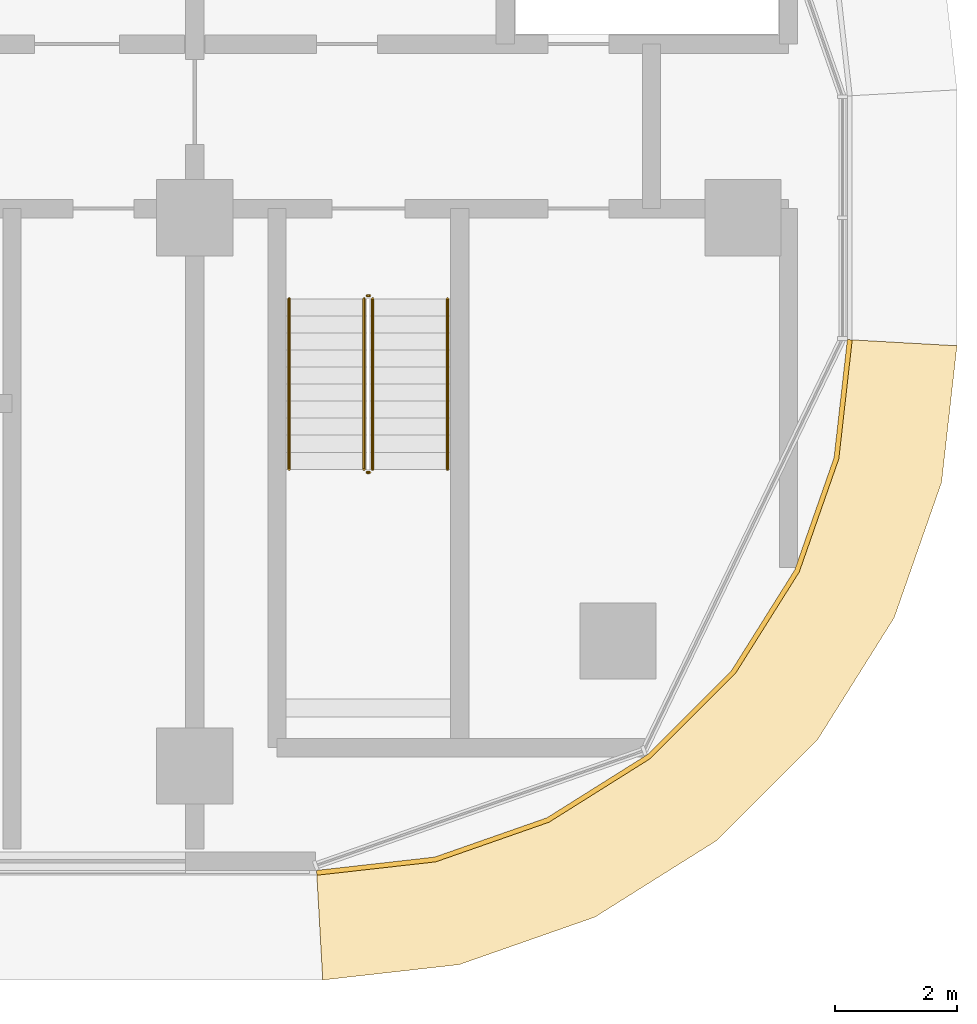
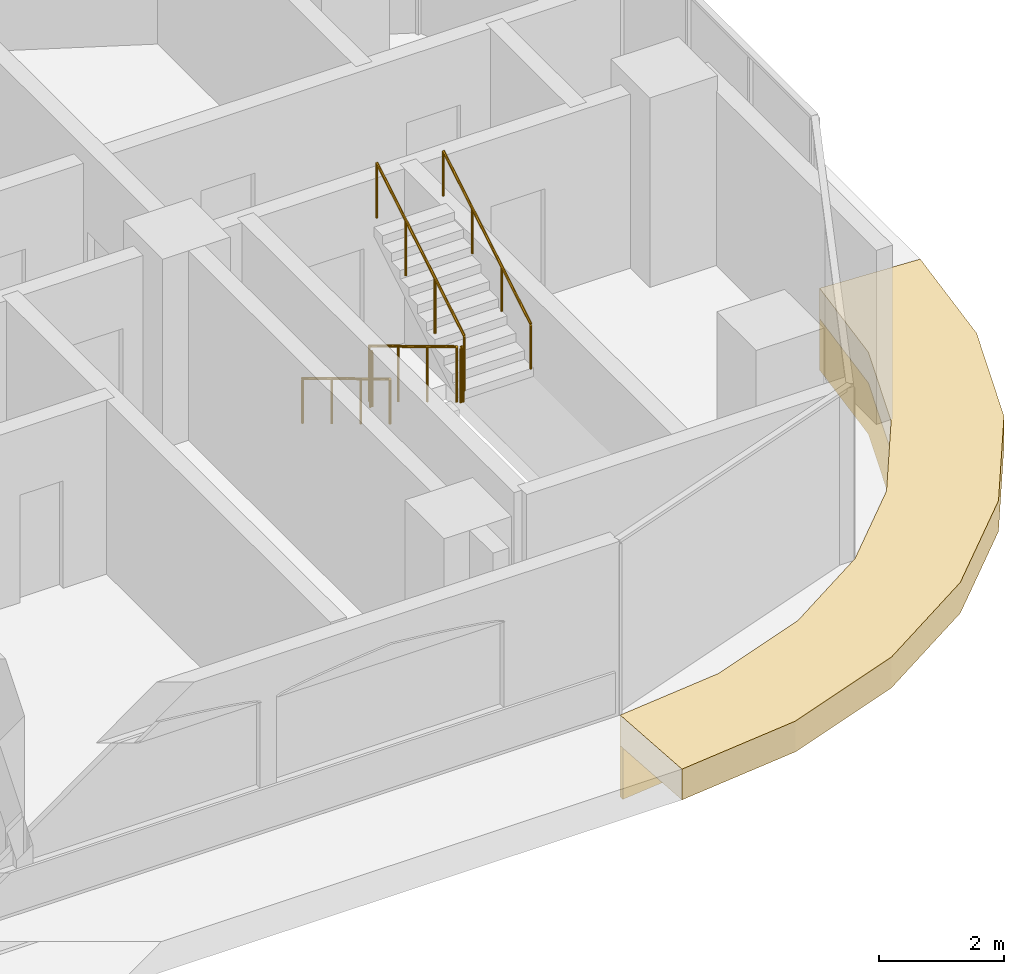
# One storey, part 22 of 25: 6 railings, 2 coverings.
"""IFC4 building model written with IfcOpenShell, lengths in metres."""

import ifcopenshell
import ifcopenshell.guid

model = None  # the IFC model being written
_history = None  # IfcOwnerHistory: only IFC2X3 demands one
_inside = {}  # id of a spatial element -> (the spatial element, [elements in it])
_under = {}  # id of a project, library or spatial element -> (it, [spatial elements below it])
_declared = {}  # id of a project -> (the project, [libraries it declares])
_typed = {}  # id of a type object -> (the type object, [elements of that type])
_made_of = {}  # id of a material, layer set ... -> (it, [elements and type objects made of it])


def new_model(schema):
    """Start an empty IFC model of exactly this schema.

    Asked for "IFC4X3", IfcOpenShell would pick the latest addendum, in which some entities
    have other attributes; the version numbers below select the first issue.
    IFC2X3 requires an IfcOwnerHistory on every rooted entity: one is made here for all.
    """
    global model, _history
    if schema == "IFC4X3":
        model = ifcopenshell.file(schema_version=(4, 3, 0, 0))
    else:
        model = ifcopenshell.file(schema=schema)
    _inside.clear()
    _under.clear()
    _declared.clear()
    _typed.clear()
    _made_of.clear()
    _history = None
    if model.schema == "IFC2X3":
        org = make("IfcOrganization", Name="unknown")
        user = make(
            "IfcPersonAndOrganization",
            ThePerson=make("IfcPerson", FamilyName="unknown"),
            TheOrganization=org,
        )
        app = make(
            "IfcApplication",
            ApplicationDeveloper=org,
            Version="unknown",
            ApplicationFullName="unknown",
            ApplicationIdentifier="unknown",
        )
        _history = make(
            "IfcOwnerHistory",
            OwningUser=user,
            OwningApplication=app,
            ChangeAction="ADDED",
            CreationDate=0,
        )
    return model


def make(cls, **values):
    """One entity of the class cls with the attributes given. An attribute that is None is left unset."""
    return model.create_entity(
        cls, **{name: value for name, value in values.items() if value is not None}
    )


def rooted(cls, **values):
    """An entity with a GlobalId (a new one), such as an element, a storey or a relation."""
    return make(cls, GlobalId=ifcopenshell.guid.new(), OwnerHistory=_history, **values)


def si_unit(unit_type, name, prefix=None):
    """IfcSIUnit, for example si_unit("LENGTHUNIT", "METRE", prefix="MILLI")."""
    return make("IfcSIUnit", UnitType=unit_type, Prefix=prefix, Name=name)


def assignment(units):
    """IfcUnitAssignment: the units of a project."""
    return None if units is None else make("IfcUnitAssignment", Units=units)


def point(xyz):
    """IfcCartesianPoint."""
    return None if xyz is None else make("IfcCartesianPoint", Coordinates=xyz)


def direction(xyz):
    """IfcDirection."""
    return None if xyz is None else make("IfcDirection", DirectionRatios=xyz)


def frame(location, z_axis=None, x_axis=None):
    """IfcAxis2Placement3D, a coordinate frame: its origin and axes. An axis left out is left unset."""
    return make(
        "IfcAxis2Placement3D",
        Location=point(location),
        Axis=direction(z_axis),
        RefDirection=direction(x_axis),
    )


def frame_2d(location, x_axis=None):
    """IfcAxis2Placement2D, a coordinate frame in the plane: its origin and x axis."""
    return make(
        "IfcAxis2Placement2D", Location=point(location), RefDirection=direction(x_axis)
    )


def origin():
    """The frame at (0, 0, 0) with its axes left unset."""
    return frame((0.0, 0.0, 0.0))


def origin_2d():
    """The frame at (0, 0) in the plane with its x axis left unset."""
    return frame_2d((0.0, 0.0))


def place(relative_to, where):
    """IfcLocalPlacement: puts the frame where relative to a parent placement (None: the world)."""
    return make(
        "IfcLocalPlacement", PlacementRelTo=relative_to, RelativePlacement=where
    )


def context(
    kind, dimensions, precision=None, world=None, true_north=None, identifier=None
):
    """IfcGeometricRepresentationContext, for example the 3D "Model" context."""
    return make(
        "IfcGeometricRepresentationContext",
        ContextIdentifier=identifier,
        ContextType=kind,
        CoordinateSpaceDimension=dimensions,
        Precision=precision,
        WorldCoordinateSystem=world,
        TrueNorth=true_north,
    )


def subcontext(parent, identifier, kind, view, scale=None):
    """IfcGeometricRepresentationSubContext, for example "Body" below "Model"."""
    return make(
        "IfcGeometricRepresentationSubContext",
        ContextIdentifier=identifier,
        ContextType=kind,
        ParentContext=parent,
        TargetScale=scale,
        TargetView=view,
    )


def project(units=None, contexts=None):
    """IfcProject with its units and contexts."""
    return rooted(
        "IfcProject",
        Name="project",
        RepresentationContexts=contexts,
        UnitsInContext=assignment(units),
    )


def spatial(cls, under=None, at=None, **own):
    """A site, building, storey or space (cls), placed at a placement, below another one or the project."""
    s = rooted(cls, ObjectPlacement=at, **own)
    if under is not None:
        _under.setdefault(under.id(), (under, []))[1].append(s)
    return s


def polyline(points):
    """IfcPolyline through the points."""
    return make("IfcPolyline", Points=[point(p) for p in points])


def profile(cls, at=None, kind="AREA", **sizes):
    """A parametric profile (cls). Its sizes go by their IFC names, for example OverallWidth=200.0."""
    return make(cls, ProfileType=kind, Position=at, **sizes)


def circle(**sizes):
    """IfcCircleProfileDef."""
    return profile("IfcCircleProfileDef", **sizes)


def outline(outer, holes=None, kind="AREA"):
    """IfcArbitraryClosedProfileDef: a profile drawn as a closed curve; with holes, ...WithVoids."""
    if holes is None:
        return make("IfcArbitraryClosedProfileDef", ProfileType=kind, OuterCurve=outer)
    return make(
        "IfcArbitraryProfileDefWithVoids",
        ProfileType=kind,
        OuterCurve=outer,
        InnerCurves=holes,
    )


def extrude(swept, where, along, depth):
    """IfcExtrudedAreaSolid: the profile swept, set in the frame where, extruded along a direction by depth."""
    return make(
        "IfcExtrudedAreaSolid",
        SweptArea=swept,
        Position=where,
        ExtrudedDirection=direction(along),
        Depth=depth,
    )


def shape(context_of_items, identifier, shape_type, items):
    """IfcShapeRepresentation: the items that make up one representation, for example the "Body"."""
    return make(
        "IfcShapeRepresentation",
        ContextOfItems=context_of_items,
        RepresentationIdentifier=identifier,
        RepresentationType=shape_type,
        Items=items,
    )


def material(Name=None, Category=None):
    """IfcMaterial."""
    return make("IfcMaterial", Name=Name, Category=Category)


def layer(
    of_material, thickness, ventilated=None, Name=None, Category=None, Priority=None
):
    """IfcMaterialLayer: one layer of a wall or slab, of a material (None: an air gap)."""
    return make(
        "IfcMaterialLayer",
        Material=of_material,
        LayerThickness=thickness,
        IsVentilated=ventilated,
        Name=Name,
        Category=Category,
        Priority=Priority,
    )


def layer_set(layers, Name=None):
    """IfcMaterialLayerSet."""
    return make("IfcMaterialLayerSet", MaterialLayers=layers, LayerSetName=Name)


def made_of(thing, what):
    """Note that an element or type object is made of a material, layer set ...; save() writes the relation."""
    if what is not None:
        _made_of.setdefault(what.id(), (what, []))[1].append(thing)
    return thing


def type_object(cls, material=None, **own):
    """A type object (cls), such as IfcWallType, which elements share."""
    return made_of(rooted(cls, **own), material)


def element(
    cls,
    number,
    at=None,
    inside=None,
    cuts=None,
    type_object=None,
    material=None,
    context=None,
    identifier="Body",
    shape_type=None,
    held_by="IfcProductDefinitionShape",
    body=None,
    shapes=None,
    **own,
):
    """One element of the class cls, such as IfcWall. Its Tag is "e" and its number.

    at: its placement. inside: the storey or other place that contains it. cuts: it is an
    opening in that element (IfcRelVoidsElement). A single representation is given by context,
    identifier, shape_type and body (its items); several are given by shapes. held_by: the class
    of the entity that holds the representations. save() writes the other relations.
    """
    e = rooted(cls, Tag="e%d" % number, ObjectPlacement=at, **own)
    if body is not None:
        shapes = [shape(context, identifier, shape_type, body)]
    if shapes is not None:
        e.Representation = make(held_by, Representations=shapes)
    if inside is not None:
        _inside.setdefault(inside.id(), (inside, []))[1].append(e)
    if cuts is not None:
        rooted(
            "IfcRelVoidsElement", RelatingBuildingElement=cuts, RelatedOpeningElement=e
        )
    if type_object is not None:
        _typed.setdefault(type_object.id(), (type_object, []))[1].append(e)
    return made_of(e, material)


def aggregate(whole, parts):
    """IfcRelAggregates: a whole, such as a stair, and the parts it consists of."""
    return rooted("IfcRelAggregates", RelatingObject=whole, RelatedObjects=parts)


def save(model, path):
    """Write the relations noted so far, then the file.

    IfcRelAggregates (storeys below a building ...), IfcRelContainedInSpatialStructure (elements
    in a storey), IfcRelDefinesByType, IfcRelAssociatesMaterial and IfcRelDeclares: one each for
    every whole, place, type object, material and project.
    """
    for whole, parts in _under.values():
        aggregate(whole, parts)
    for where, things in _inside.values():
        rooted(
            "IfcRelContainedInSpatialStructure",
            RelatedElements=things,
            RelatingStructure=where,
        )
    for kind, things in _typed.values():
        rooted("IfcRelDefinesByType", RelatedObjects=things, RelatingType=kind)
    for what, things in _made_of.values():
        rooted("IfcRelAssociatesMaterial", RelatedObjects=things, RelatingMaterial=what)
    for by, libraries in _declared.values():
        rooted("IfcRelDeclares", RelatingContext=by, RelatedDefinitions=libraries)
    model.write(path)


model = new_model("IFC4")

# Units and contexts
model_context = context("Model", 3, precision=1e-05, world=origin(), true_north=direction((0.0, 1.0)))
body_context = subcontext(model_context, "Body", "Model", "MODEL_VIEW")
ifc_project = project(units=[si_unit("LENGTHUNIT", "METRE"), si_unit("AREAUNIT", "SQUARE_METRE"), si_unit("VOLUMEUNIT", "CUBIC_METRE"), si_unit("PLANEANGLEUNIT", "RADIAN"), si_unit("MASSUNIT", "GRAM", prefix="KILO")], contexts=[model_context])

# Site, building, storey
site_placement = place(None, origin())
site = spatial("IfcSite", under=ifc_project, at=site_placement, CompositionType="ELEMENT")
building_placement = place(site_placement, origin())
building = spatial("IfcBuilding", under=site, at=building_placement, Name="Ogive Portal Towers", CompositionType="ELEMENT")
storey_placement = place(building_placement, frame((0.0, 0.0, 124.10009765625)))
storey = spatial("IfcBuildingStorey", under=building, at=storey_placement, Name="L30", CompositionType="ELEMENT", Elevation=124.10009765625)

# Railings
ifc_material_1 = material(Name="Stainless steel balustrade", Category="steel")
railing_type_1 = type_object("IfcRailingType", Name="INT-GUARD", PredefinedType="GUARDRAIL", material=ifc_material_1)
railing_1_placement = place(storey_placement, frame((88.280029296875, 29.169921875, 0.16796875)))
element("IfcRailing", 1, at=railing_1_placement, inside=storey, type_object=railing_type_1, Name="L30 ST-A4 stair guard 1", PredefinedType="GUARDRAIL", context=body_context, shape_type="SweptSolid", body=[
    extrude(circle(Radius=0.02392578125, at=origin_2d()), frame((0.0, 0.0, 1.076171875), z_axis=(0.0, -0.857222391501, 0.514946377315), x_axis=(1.0, 0.0, 0.0)), (0.0, 0.0, 1.0), 3.26611328125),
    extrude(circle(Radius=0.02099609375, at=origin_2d()), origin(), (0.0, 0.0, 1.0), 1.052001953125),
    extrude(circle(Radius=0.02099609375, at=origin_2d()), frame((0.0, -0.933349609375, 0.560546875)), (0.0, 0.0, 1.0), 1.052001953125),
    extrude(circle(Radius=0.02099609375, at=origin_2d()), frame((0.0, -1.866455078125, 1.121337890625)), (0.0, 0.0, 1.0), 1.052001953125),
    extrude(circle(Radius=0.02099609375, at=origin_2d()), frame((0.0, -2.7998046875, 1.681884765625)), (0.0, 0.0, 1.0), 1.052001953125),
])
railing_2_placement = place(storey_placement, frame((88.330078125, 26.320068359375, 1.849853515625)))
element("IfcRailing", 2, at=railing_2_placement, inside=storey, type_object=railing_type_1, Name="L30 ST-A4 stair guard 2", PredefinedType="GUARDRAIL", context=body_context, shape_type="SweptSolid", body=[
    extrude(circle(Radius=0.02392578125, at=origin_2d()), frame((0.0, 0.0, 1.076171875), z_axis=(1.0, 0.0, 0.0), x_axis=(0.0, 1.0, 0.0)), (0.0, 0.0, 1.0), 0.0400390625),
    extrude(circle(Radius=0.02099609375, at=origin_2d()), origin(), (0.0, 0.0, 1.0), 1.052001953125),
    extrude(circle(Radius=0.02099609375, at=origin_2d()), frame((0.0400390625, 0.0, 0.0)), (0.0, 0.0, 1.0), 1.052001953125),
])
railing_3_placement = place(storey_placement, frame((88.419921875, 26.3701171875, 2.01806640625)))
element("IfcRailing", 3, at=railing_3_placement, inside=storey, type_object=railing_type_1, Name="L30 ST-A4 stair guard 3", PredefinedType="GUARDRAIL", context=body_context, shape_type="SweptSolid", body=[
    extrude(circle(Radius=0.02392578125, at=origin_2d()), frame((0.0, 0.0, 1.076171875), z_axis=(0.0, 0.857222391501, 0.514946377315), x_axis=(-1.0, 0.0, 0.0)), (0.0, 0.0, 1.0), 3.26611328125),
    extrude(circle(Radius=0.02099609375, at=origin_2d()), origin(), (0.0, 0.0, 1.0), 1.052001953125),
    extrude(circle(Radius=0.02099609375, at=origin_2d()), frame((0.0, 0.933349609375, 0.560546875)), (0.0, 0.0, 1.0), 1.052001953125),
    extrude(circle(Radius=0.02099609375, at=origin_2d()), frame((0.0, 1.866455078125, 1.121337890625)), (0.0, 0.0, 1.0), 1.052001953125),
    extrude(circle(Radius=0.02099609375, at=origin_2d()), frame((0.0, 2.7998046875, 1.681884765625)), (0.0, 0.0, 1.0), 1.052001953125),
])
railing_4_placement = place(storey_placement, frame((88.330078125, 29.219970703125, 0.0)))
element("IfcRailing", 4, at=railing_4_placement, inside=storey, type_object=railing_type_1, Name="L30 ST-A4 stair guard 4", PredefinedType="GUARDRAIL", context=body_context, shape_type="SweptSolid", body=[
    extrude(circle(Radius=0.02392578125, at=origin_2d()), frame((0.0, 0.0, 1.076171875), z_axis=(1.0, 0.0, 0.0), x_axis=(0.0, 1.0, 0.0)), (0.0, 0.0, 1.0), 0.0400390625),
    extrude(circle(Radius=0.02099609375, at=origin_2d()), origin(), (0.0, 0.0, 1.0), 1.052001953125),
    extrude(circle(Radius=0.02099609375, at=origin_2d()), frame((0.0400390625, 0.0, 0.0)), (0.0, 0.0, 1.0), 1.052001953125),
])
ifc_material_2 = material(Name="Stainless steel handrail", Category="steel")
railing_type_2 = type_object("IfcRailingType", Name="INT-HANDRAIL", PredefinedType="HANDRAIL", material=ifc_material_2)
railing_5_placement = place(storey_placement, frame((87.050048828125, 29.169921875, 0.16796875)))
element("IfcRailing", 5, at=railing_5_placement, inside=storey, type_object=railing_type_2, Name="L30 ST-A4 stair handrail 1", PredefinedType="HANDRAIL", context=body_context, shape_type="SweptSolid", body=[
    extrude(circle(Radius=0.02392578125, at=origin_2d()), frame((0.0, 0.0, 0.8759765625), z_axis=(0.0, -0.857222391501, 0.514946377315), x_axis=(1.0, 0.0, 0.0)), (0.0, 0.0, 1.0), 3.26611328125),
    extrude(circle(Radius=0.02099609375, at=origin_2d()), origin(), (0.0, 0.0, 1.0), 0.851806640625),
    extrude(circle(Radius=0.02099609375, at=origin_2d()), frame((0.0, -0.933349609375, 0.560546875)), (0.0, 0.0, 1.0), 0.851806640625),
    extrude(circle(Radius=0.02099609375, at=origin_2d()), frame((0.0, -1.866455078125, 1.121337890625)), (0.0, 0.0, 1.0), 0.851806640625),
    extrude(circle(Radius=0.02099609375, at=origin_2d()), frame((0.0, -2.7998046875, 1.681884765625)), (0.0, 0.0, 1.0), 0.851806640625),
])
railing_6_placement = place(storey_placement, frame((89.64990234375, 26.3701171875, 2.01806640625)))
element("IfcRailing", 6, at=railing_6_placement, inside=storey, type_object=railing_type_2, Name="L30 ST-A4 stair handrail 2", PredefinedType="HANDRAIL", context=body_context, shape_type="SweptSolid", body=[
    extrude(circle(Radius=0.02392578125, at=origin_2d()), frame((0.0, 0.0, 0.8759765625), z_axis=(0.0, 0.857222391501, 0.514946377315), x_axis=(-1.0, 0.0, 0.0)), (0.0, 0.0, 1.0), 3.26611328125),
    extrude(circle(Radius=0.02099609375, at=origin_2d()), origin(), (0.0, 0.0, 1.0), 0.851806640625),
    extrude(circle(Radius=0.02099609375, at=origin_2d()), frame((0.0, 0.933349609375, 0.560546875)), (0.0, 0.0, 1.0), 0.851806640625),
    extrude(circle(Radius=0.02099609375, at=origin_2d()), frame((0.0, 1.866455078125, 1.121337890625)), (0.0, 0.0, 1.0), 0.851806640625),
    extrude(circle(Radius=0.02099609375, at=origin_2d()), frame((0.0, 2.7998046875, 1.681884765625)), (0.0, 0.0, 1.0), 0.851806640625),
])

# Coverings
ifc_material_3 = material(Name="Limestone cladding on lightweight block wall", Category="masonry")
ifc_layer_1 = layer(ifc_material_3, 0.080078125)
ifc_layer_set_1 = layer_set([ifc_layer_1], Name="STONE SPANDREL 80")
covering_type_1 = type_object("IfcCoveringType", Name="STONE SPANDREL 80", PredefinedType="CLADDING", material=ifc_layer_set_1)
covering_1_placement = place(storey_placement, frame((0.0, 0.0, -1.60009765625)))
element("IfcCovering", 7, at=covering_1_placement, inside=storey, type_object=covering_type_1, Name="Stone spandrel A1-F06", PredefinedType="CLADDING", context=body_context, shape_type="SweptSolid", body=[
    extrude(outline(polyline([(87.5, 19.784912109375), (89.439208984375, 20.00341796875), (91.28125, 20.64794921875), (92.93359375, 21.686279296875), (94.313720703125, 23.06640625), (95.35205078125, 24.71875), (95.99658203125, 26.560791015625), (96.215087890625, 28.5), (96.294921875, 28.49560546875), (96.074951171875, 26.542724609375), (95.424560546875, 24.683837890625), (94.376708984375, 23.01611328125), (92.98388671875, 21.623291015625), (91.316162109375, 20.575439453125), (89.457275390625, 19.925048828125), (87.50439453125, 19.705078125), (87.5, 19.784912109375)])), origin(), (0.0, 0.0, 1.0), 1.0),
])
ifc_layer_2 = layer(ifc_material_3, 0.60009765625)
ifc_layer_set_2 = layer_set([ifc_layer_2], Name="SUNSHADE LIP 600")
covering_type_2 = type_object("IfcCoveringType", Name="SUNSHADE LIP 600", PredefinedType="CLADDING", material=ifc_layer_set_2)
covering_2_placement = place(storey_placement, frame((0.0, 0.0, -0.60009765625)))
element("IfcCovering", 8, at=covering_2_placement, inside=storey, type_object=covering_type_2, Name="Sunshade lip A1-F06", PredefinedType="CLADDING", context=body_context, shape_type="SweptSolid", body=[
    extrude(outline(polyline([(87.5, 19.784912109375), (89.439208984375, 20.00341796875), (91.28125, 20.64794921875), (92.93359375, 21.686279296875), (94.313720703125, 23.06640625), (95.35205078125, 24.71875), (95.99658203125, 26.560791015625), (96.215087890625, 28.5), (98.014892578125, 28.39892578125), (97.762451171875, 26.15771484375), (96.98388671875, 23.932861328125), (95.72998046875, 21.93701171875), (94.06298828125, 20.27001953125), (92.067138671875, 19.01611328125), (89.84228515625, 18.237548828125), (87.60107421875, 17.985107421875), (87.5, 19.784912109375)])), origin(), (0.0, 0.0, 1.0), 0.60009765625),
])

save(model, "model.ifc")
